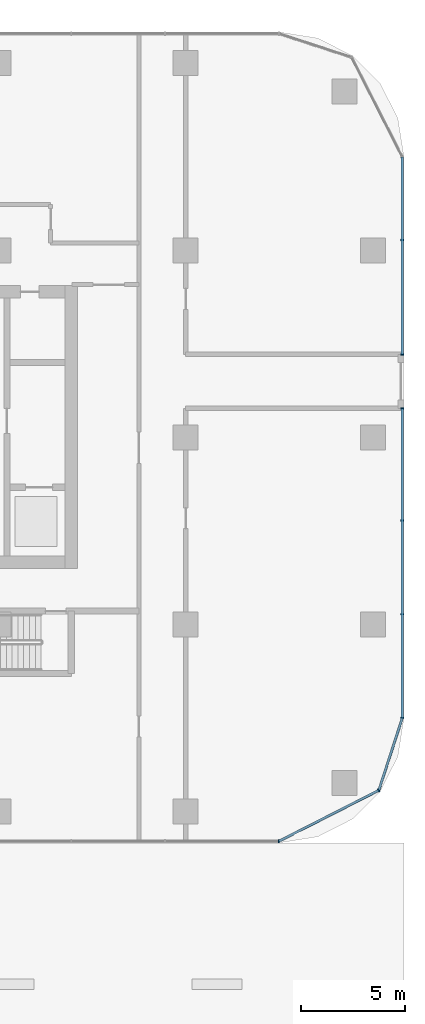
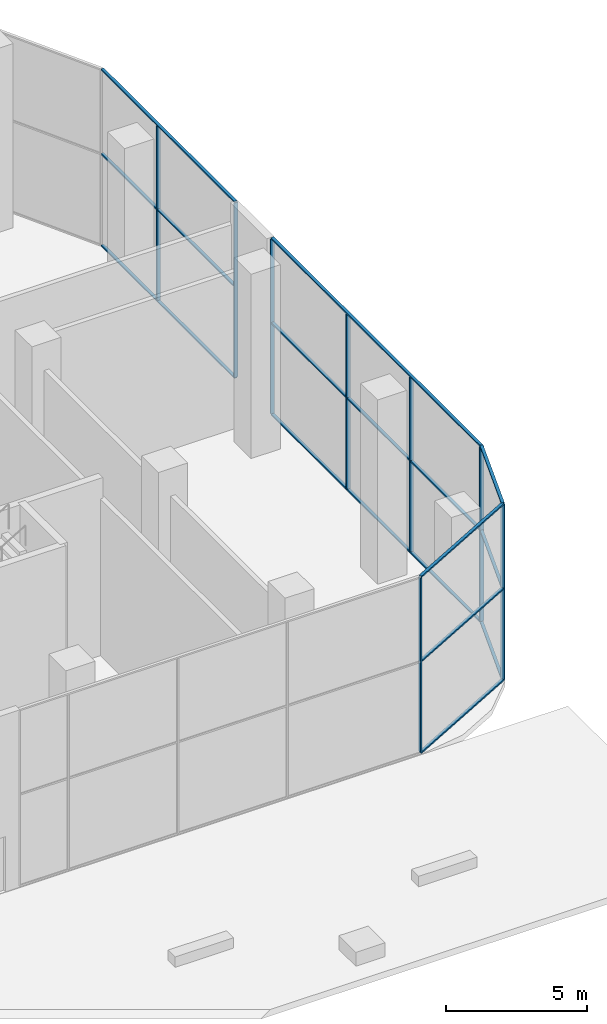
# One storey, part 20 of 54: 20 members, 4 elements without a shape of their own.
"""IFC4 building model written with IfcOpenShell, lengths in metres."""

from ifc_helpers import new_model, si_unit, direction, frame, origin, origin_2d, place, context, subcontext, project, spatial, rectangle, extrude, material, material_profile, profile_set, type_object, element, aggregate, save


model = new_model("IFC4")

# Units and contexts
model_context = context("Model", 3, precision=1e-05, world=origin(), true_north=direction((0.0, 1.0)))
body_context = subcontext(model_context, "Body", "Model", "MODEL_VIEW")
ifc_project = project(units=[si_unit("LENGTHUNIT", "METRE"), si_unit("AREAUNIT", "SQUARE_METRE"), si_unit("VOLUMEUNIT", "CUBIC_METRE"), si_unit("PLANEANGLEUNIT", "RADIAN"), si_unit("MASSUNIT", "GRAM", prefix="KILO")], contexts=[model_context])

# Site, building, storey
site_placement = place(None, origin())
site = spatial("IfcSite", under=ifc_project, at=site_placement, CompositionType="ELEMENT")
building_placement = place(site_placement, origin())
building = spatial("IfcBuilding", under=site, at=building_placement, Name="Ogive Portal Towers", CompositionType="ELEMENT")
storey_placement = place(building_placement, origin())
storey = spatial("IfcBuildingStorey", under=building, at=storey_placement, Name="L00", CompositionType="ELEMENT", Elevation=0.0)

# Curtain wall, member
ifc_material_1 = material(Name="Glass, clear low-iron insulated glazing", Category="glass")
curtain_wall_type = type_object("IfcCurtainWallType", Name="CW PODIUM SHOPFRONT", PredefinedType="NOTDEFINED", material=ifc_material_1)
curtain_wall_1_placement = place(storey_placement, origin())
curtain_wall_1 = element("IfcCurtainWall", 1, at=curtain_wall_1_placement, inside=storey, type_object=curtain_wall_type, Name="B:L00:f02:cw2", PredefinedType="NOTDEFINED")
ifc_material_2 = material(Name="Aluminium 6063 anodised", Category="aluminium")
ifc_material_profile_1 = material_profile(ifc_material_2, rectangle(XDim=0.159912109375, YDim=0.06005859375, at=origin_2d()), Name="AL 60x160")
ifc_profile_set_1 = profile_set([ifc_material_profile_1], Name="Aluminium 6063 anodised")
member_type_1 = type_object("IfcMemberType", Name="CW MULLION 60x160", PredefinedType="MULLION", material=ifc_profile_set_1)
member_1_placement = place(storey_placement, frame((153.980712890625, 11.080078125, 0.06005859375), z_axis=(0.0, 0.0, 1.0), x_axis=(0.0, 1.0, 0.0)))
member_1 = element("IfcMember", 2, at=member_1_placement, type_object=member_type_1, Name="mullion", PredefinedType="MULLION", context=body_context, shape_type="SweptSolid", body=[
    extrude(rectangle(XDim=0.159912109375, YDim=0.06005859375, at=origin_2d()), origin(), (0.0, 0.0, 1.0), 7.579833984375),
])
aggregate(curtain_wall_1, [member_1])

# Curtain wall, members
curtain_wall_2_placement = place(storey_placement, origin())
curtain_wall_2 = element("IfcCurtainWall", 3, at=curtain_wall_2_placement, inside=storey, type_object=curtain_wall_type, Name="B:L00:f05:cw0", PredefinedType="NOTDEFINED")
member_2_placement = place(storey_placement, frame((159.919921875, 17.0126953125, 0.06005859375), z_axis=(0.0, 0.0, 1.0), x_axis=(-1.0, 0.0, 0.0)))
member_2 = element("IfcMember", 4, at=member_2_placement, type_object=member_type_1, Name="mullion", PredefinedType="MULLION", context=body_context, shape_type="SweptSolid", body=[
    extrude(rectangle(XDim=0.159912109375, YDim=0.06005859375, at=origin_2d()), origin(), (0.0, 0.0, 1.0), 7.579833984375),
])
member_3_placement = place(storey_placement, frame((159.919921875, 22.0, 0.06005859375), z_axis=(0.0, 0.0, 1.0), x_axis=(-1.0, 0.0, 0.0)))
member_3 = element("IfcMember", 5, at=member_3_placement, type_object=member_type_1, Name="mullion", PredefinedType="MULLION", context=body_context, shape_type="SweptSolid", body=[
    extrude(rectangle(XDim=0.159912109375, YDim=0.06005859375, at=origin_2d()), origin(), (0.0, 0.0, 1.0), 7.579833984375),
])
member_4_placement = place(storey_placement, frame((159.919921875, 26.5, 0.06005859375), z_axis=(0.0, 0.0, 1.0), x_axis=(-1.0, 0.0, 0.0)))
member_4 = element("IfcMember", 6, at=member_4_placement, type_object=member_type_1, Name="mullion", PredefinedType="MULLION", context=body_context, shape_type="SweptSolid", body=[
    extrude(rectangle(XDim=0.159912109375, YDim=0.06005859375, at=origin_2d()), origin(), (0.0, 0.0, 1.0), 7.579833984375),
])
member_5_placement = place(storey_placement, frame((159.919921875, 31.89501953125, 0.06005859375), z_axis=(0.0, 0.0, 1.0), x_axis=(-1.0, 0.0, 0.0)))
member_5 = element("IfcMember", 7, at=member_5_placement, type_object=member_type_1, Name="mullion", PredefinedType="MULLION", context=body_context, shape_type="SweptSolid", body=[
    extrude(rectangle(XDim=0.159912109375, YDim=0.06005859375, at=origin_2d()), origin(), (0.0, 0.0, 1.0), 7.579833984375),
])

curtain_wall_3_placement = place(storey_placement, origin())
curtain_wall_3 = element("IfcCurtainWall", 8, at=curtain_wall_3_placement, inside=storey, type_object=curtain_wall_type, Name="B:L00:f05:cw1", PredefinedType="NOTDEFINED")
member_6_placement = place(storey_placement, frame((159.919921875, 34.491943359375, 0.06005859375), z_axis=(0.0, 0.0, 1.0), x_axis=(-1.0, 0.0, 0.0)))
member_6 = element("IfcMember", 9, at=member_6_placement, type_object=member_type_1, Name="mullion", PredefinedType="MULLION", context=body_context, shape_type="SweptSolid", body=[
    extrude(rectangle(XDim=0.159912109375, YDim=0.06005859375, at=origin_2d()), origin(), (0.0, 0.0, 1.0), 7.579833984375),
])
member_7_placement = place(storey_placement, frame((159.919921875, 40.0, 0.06005859375), z_axis=(0.0, 0.0, 1.0), x_axis=(-1.0, 0.0, 0.0)))
member_7 = element("IfcMember", 10, at=member_7_placement, type_object=member_type_1, Name="mullion", PredefinedType="MULLION", context=body_context, shape_type="SweptSolid", body=[
    extrude(rectangle(XDim=0.159912109375, YDim=0.06005859375, at=origin_2d()), origin(), (0.0, 0.0, 1.0), 7.579833984375),
])

# Curtain wall, member
curtain_wall_4_placement = place(storey_placement, origin())
curtain_wall_4 = element("IfcCurtainWall", 11, at=curtain_wall_4_placement, inside=storey, type_object=curtain_wall_type, Name="B:L00:f03:cwa", PredefinedType="NOTDEFINED")
member_8_placement = place(storey_placement, frame((158.788330078125, 13.529541015625, 0.06005859375), z_axis=(0.0, 0.0, 1.0), x_axis=(-0.45399049974, 0.891006524188, 0.0)))
member_8 = element("IfcMember", 12, at=member_8_placement, type_object=member_type_1, Name="mullion", PredefinedType="MULLION", context=body_context, shape_type="SweptSolid", body=[
    extrude(rectangle(XDim=0.159912109375, YDim=0.06005859375, at=origin_2d()), origin(), (0.0, 0.0, 1.0), 7.579833984375),
])

# Member
ifc_material_profile_2 = material_profile(ifc_material_2, rectangle(XDim=0.1201171875, YDim=0.06005859375, at=origin_2d()), Name="AL 120x60")
ifc_profile_set_2 = profile_set([ifc_material_profile_2], Name="Aluminium 6063 anodised")
member_type_2 = type_object("IfcMemberType", Name="CW TRANSOM 60x120", PredefinedType="USERDEFINED", material=ifc_profile_set_2)
member_9_placement = place(storey_placement, frame((159.919921875, 17.0126953125, 0.030029296875), z_axis=(0.0, 1.0, 0.0), x_axis=(-1.0, 0.0, 0.0)))
member_9 = element("IfcMember", 13, at=member_9_placement, type_object=member_type_2, Name="transom", ObjectType="TRANSOM", PredefinedType="USERDEFINED", context=body_context, shape_type="SweptSolid", body=[
    extrude(rectangle(XDim=0.1201171875, YDim=0.06005859375, at=origin_2d()), origin(), (0.0, 0.0, 1.0), 14.88232421875),
])

member_10_placement = place(storey_placement, frame((159.919921875, 17.0126953125, 4.0), z_axis=(0.0, 1.0, 0.0), x_axis=(-1.0, 0.0, 0.0)))
member_10 = element("IfcMember", 14, at=member_10_placement, type_object=member_type_2, Name="transom", ObjectType="TRANSOM", PredefinedType="USERDEFINED", context=body_context, shape_type="SweptSolid", body=[
    extrude(rectangle(XDim=0.1201171875, YDim=0.06005859375, at=origin_2d()), origin(), (0.0, 0.0, 1.0), 14.88232421875),
])

member_11_placement = place(storey_placement, frame((159.919921875, 17.0126953125, 7.669921875), z_axis=(0.0, 1.0, 0.0), x_axis=(-1.0, 0.0, 0.0)))
member_11 = element("IfcMember", 15, at=member_11_placement, type_object=member_type_2, Name="transom", ObjectType="TRANSOM", PredefinedType="USERDEFINED", context=body_context, shape_type="SweptSolid", body=[
    extrude(rectangle(XDim=0.1201171875, YDim=0.06005859375, at=origin_2d()), origin(), (0.0, 0.0, 1.0), 14.88232421875),
])

aggregate(curtain_wall_2, [member_9, member_10, member_11, member_2, member_3, member_4, member_5])

member_12_placement = place(storey_placement, frame((159.919921875, 34.491943359375, 0.030029296875), z_axis=(0.0, 1.0, 0.0), x_axis=(-1.0, 0.0, 0.0)))
member_12 = element("IfcMember", 16, at=member_12_placement, type_object=member_type_2, Name="transom", ObjectType="TRANSOM", PredefinedType="USERDEFINED", context=body_context, shape_type="SweptSolid", body=[
    extrude(rectangle(XDim=0.1201171875, YDim=0.06005859375, at=origin_2d()), origin(), (0.0, 0.0, 1.0), 9.48876953125),
])

member_13_placement = place(storey_placement, frame((159.919921875, 34.491943359375, 4.0), z_axis=(0.0, 1.0, 0.0), x_axis=(-1.0, 0.0, 0.0)))
member_13 = element("IfcMember", 17, at=member_13_placement, type_object=member_type_2, Name="transom", ObjectType="TRANSOM", PredefinedType="USERDEFINED", context=body_context, shape_type="SweptSolid", body=[
    extrude(rectangle(XDim=0.1201171875, YDim=0.06005859375, at=origin_2d()), origin(), (0.0, 0.0, 1.0), 9.48876953125),
])

member_14_placement = place(storey_placement, frame((159.919921875, 34.491943359375, 7.669921875), z_axis=(0.0, 1.0, 0.0), x_axis=(-1.0, 0.0, 0.0)))
member_14 = element("IfcMember", 18, at=member_14_placement, type_object=member_type_2, Name="transom", ObjectType="TRANSOM", PredefinedType="USERDEFINED", context=body_context, shape_type="SweptSolid", body=[
    extrude(rectangle(XDim=0.1201171875, YDim=0.06005859375, at=origin_2d()), origin(), (0.0, 0.0, 1.0), 9.48876953125),
])

aggregate(curtain_wall_3, [member_12, member_13, member_14, member_6, member_7])

member_15_placement = place(storey_placement, frame((153.980712890625, 11.080078125, 0.030029296875), z_axis=(0.891017050983, 0.453969839149, 0.0), x_axis=(-0.453969839149, 0.891017050983, 0.0)))
member_15 = element("IfcMember", 19, at=member_15_placement, type_object=member_type_2, Name="transom", ObjectType="TRANSOM", PredefinedType="USERDEFINED", context=body_context, shape_type="SweptSolid", body=[
    extrude(rectangle(XDim=0.1201171875, YDim=0.06005859375, at=origin_2d()), origin(), (0.0, 0.0, 1.0), 5.395751953125),
])

member_16_placement = place(storey_placement, frame((153.980712890625, 11.080078125, 4.0), z_axis=(0.891017050983, 0.453969839149, 0.0), x_axis=(-0.453969839149, 0.891017050983, 0.0)))
member_16 = element("IfcMember", 20, at=member_16_placement, type_object=member_type_2, Name="transom", ObjectType="TRANSOM", PredefinedType="USERDEFINED", context=body_context, shape_type="SweptSolid", body=[
    extrude(rectangle(XDim=0.1201171875, YDim=0.06005859375, at=origin_2d()), origin(), (0.0, 0.0, 1.0), 5.395751953125),
])

member_17_placement = place(storey_placement, frame((153.980712890625, 11.080078125, 7.669921875), z_axis=(0.891017050983, 0.453969839149, 0.0), x_axis=(-0.453969839149, 0.891017050983, 0.0)))
member_17 = element("IfcMember", 21, at=member_17_placement, type_object=member_type_2, Name="transom", ObjectType="TRANSOM", PredefinedType="USERDEFINED", context=body_context, shape_type="SweptSolid", body=[
    extrude(rectangle(XDim=0.1201171875, YDim=0.06005859375, at=origin_2d()), origin(), (0.0, 0.0, 1.0), 5.395751953125),
])

member_18_placement = place(storey_placement, frame((158.788330078125, 13.529541015625, 0.030029296875), z_axis=(0.308979049184, 0.951068844598, 0.0), x_axis=(-0.951068844598, 0.308979049184, 0.0)))
member_18 = element("IfcMember", 22, at=member_18_placement, type_object=member_type_2, Name="transom", ObjectType="TRANSOM", PredefinedType="USERDEFINED", context=body_context, shape_type="SweptSolid", body=[
    extrude(rectangle(XDim=0.1201171875, YDim=0.06005859375, at=origin_2d()), origin(), (0.0, 0.0, 1.0), 3.662353515625),
])

member_19_placement = place(storey_placement, frame((158.788330078125, 13.529541015625, 4.0), z_axis=(0.308979049184, 0.951068844598, 0.0), x_axis=(-0.951068844598, 0.308979049184, 0.0)))
member_19 = element("IfcMember", 23, at=member_19_placement, type_object=member_type_2, Name="transom", ObjectType="TRANSOM", PredefinedType="USERDEFINED", context=body_context, shape_type="SweptSolid", body=[
    extrude(rectangle(XDim=0.1201171875, YDim=0.06005859375, at=origin_2d()), origin(), (0.0, 0.0, 1.0), 3.662353515625),
])

member_20_placement = place(storey_placement, frame((158.788330078125, 13.529541015625, 7.669921875), z_axis=(0.308979049184, 0.951068844598, 0.0), x_axis=(-0.951068844598, 0.308979049184, 0.0)))
member_20 = element("IfcMember", 24, at=member_20_placement, type_object=member_type_2, Name="transom", ObjectType="TRANSOM", PredefinedType="USERDEFINED", context=body_context, shape_type="SweptSolid", body=[
    extrude(rectangle(XDim=0.1201171875, YDim=0.06005859375, at=origin_2d()), origin(), (0.0, 0.0, 1.0), 3.662353515625),
])

aggregate(curtain_wall_4, [member_15, member_16, member_17, member_18, member_19, member_20, member_8])

save(model, "model.ifc")
